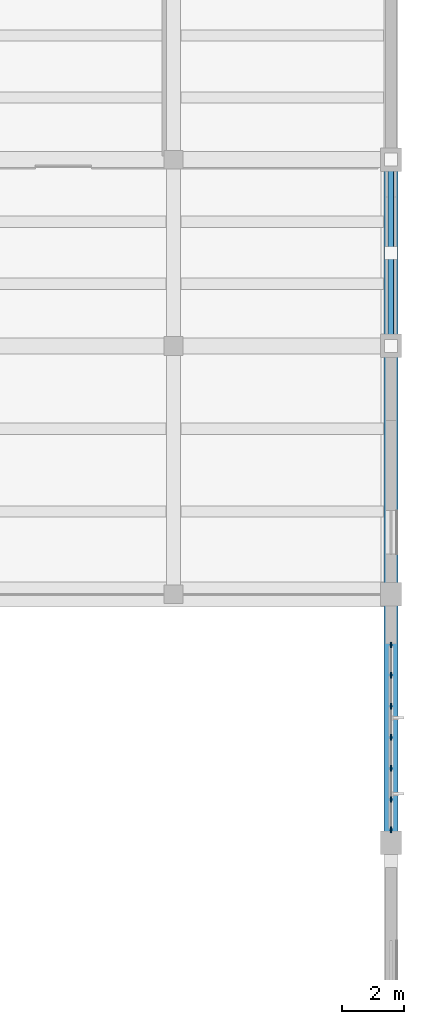
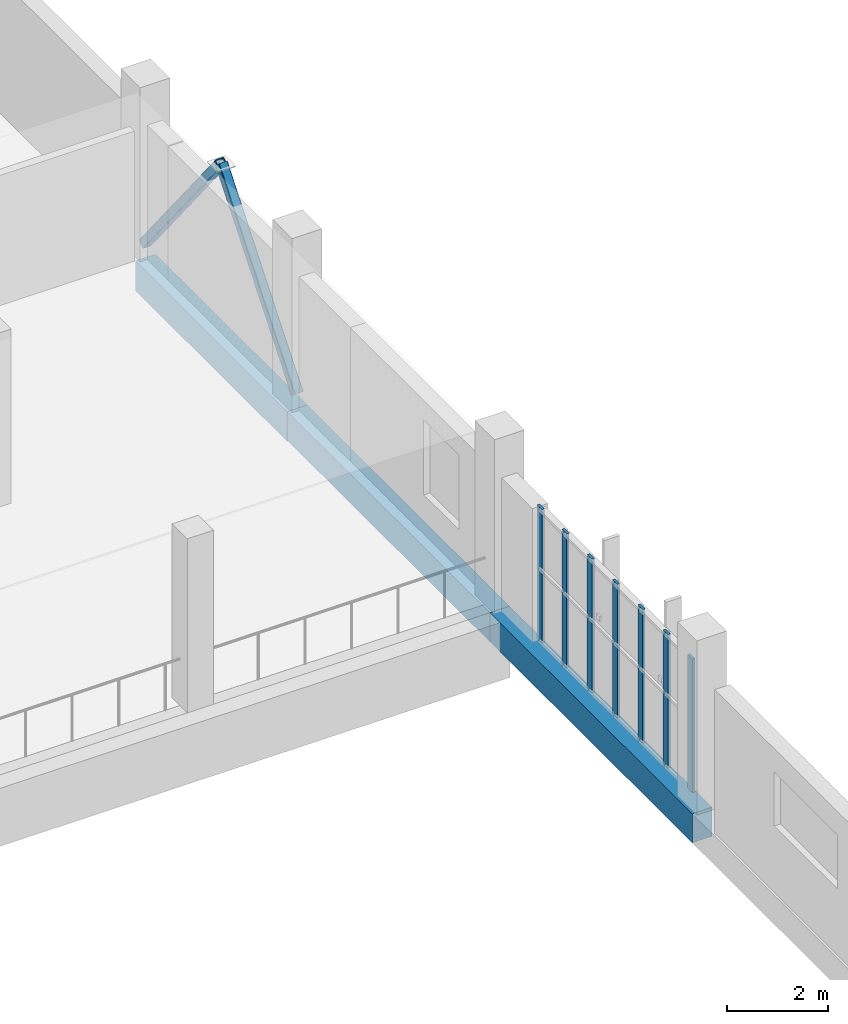
# One storey, part 29 of 85: 9 members, 3 beams, 1 element without a shape of its own.
"""IFC4 building model written with IfcOpenShell, lengths in metres."""

from ifc_helpers import new_model, si_unit, direction, frame, origin, origin_2d, place, context, subcontext, project, spatial, rectangle, hollow_rectangle, extrude, material, layer, layer_set, material_profile, profile_set, type_object, element, aggregate, save


model = new_model("IFC4")

# Units and contexts
model_context = context("Model", 3, precision=1e-05, world=origin(), true_north=direction((0.0, 1.0)))
body_context = subcontext(model_context, "Body", "Model", "MODEL_VIEW")
ifc_project = project(units=[si_unit("LENGTHUNIT", "METRE"), si_unit("AREAUNIT", "SQUARE_METRE"), si_unit("VOLUMEUNIT", "CUBIC_METRE"), si_unit("PLANEANGLEUNIT", "RADIAN"), si_unit("MASSUNIT", "GRAM", prefix="KILO")], contexts=[model_context])

# Site, building, storey
site_placement = place(None, origin())
site = spatial("IfcSite", under=ifc_project, at=site_placement, CompositionType="ELEMENT")
building_placement = place(site_placement, origin())
building = spatial("IfcBuilding", under=site, at=building_placement, Name="Solvane Community Centre", CompositionType="ELEMENT")
storey_placement = place(building_placement, frame((0.0, 0.0, 5.39990234375)))
storey = spatial("IfcBuildingStorey", under=building, at=storey_placement, Name="L01", CompositionType="ELEMENT", Elevation=5.39990234375)

# Curtain wall, members
ifc_material_1 = material(Name="Anodised bronze aluminium AW-6063 T6", Category="aluminium")
ifc_layer = layer(ifc_material_1, 0.18994140625)
ifc_layer_set = layer_set([ifc_layer], Name="Anodised bronze aluminium AW-6063 T6")
curtain_wall_type = type_object("IfcCurtainWallType", Name="Boulevard Bronze Vision Curtain Wall [60x32dm]", PredefinedType="NOTDEFINED", material=ifc_layer_set)
curtain_wall_placement = place(storey_placement, origin())
curtain_wall = element("IfcCurtainWall", 1, at=curtain_wall_placement, inside=storey, type_object=curtain_wall_type, Name="Curtain Wall CW-L01-1680_204-121", PredefinedType="NOTDEFINED")
ifc_material_profile_1 = material_profile(ifc_material_1, rectangle(XDim=0.06005859375, YDim=0.18994140625, at=origin_2d()), Name="CW-M 60x190")
ifc_profile_set_1 = profile_set([ifc_material_profile_1], Name="Anodised bronze aluminium AW-6063 T6")
member_type_1 = type_object("IfcMemberType", Name="Boulevard Mullion 60x190", PredefinedType="MULLION", material=ifc_profile_set_1)
member_1_placement = place(storey_placement, frame((168.0, 20.3701171875, 0.0), z_axis=(0.0, 0.0, 1.0), x_axis=(1.0, 0.0, 0.0)))
member_1 = element("IfcMember", 2, at=member_1_placement, type_object=member_type_1, Name="CW02-60x32 mullion 1", PredefinedType="MULLION", context=body_context, shape_type="SweptSolid", body=[
    extrude(rectangle(XDim=0.06005859375, YDim=0.18994140625, at=origin_2d()), origin(), (0.0, 0.0, 1.0), 3.22509765625),
])
member_2_placement = place(storey_placement, frame((168.0, 19.399169921875, 0.0), z_axis=(0.0, 0.0, 1.0), x_axis=(1.0, 0.0, 0.0)))
member_2 = element("IfcMember", 3, at=member_2_placement, type_object=member_type_1, Name="CW02-60x32 mullion 2", PredefinedType="MULLION", context=body_context, shape_type="SweptSolid", body=[
    extrude(rectangle(XDim=0.06005859375, YDim=0.18994140625, at=origin_2d()), origin(), (0.0, 0.0, 1.0), 3.22509765625),
])
member_3_placement = place(storey_placement, frame((168.0, 18.3984375, 0.0), z_axis=(0.0, 0.0, 1.0), x_axis=(1.0, 0.0, 0.0)))
member_3 = element("IfcMember", 4, at=member_3_placement, type_object=member_type_1, Name="CW02-60x32 mullion 3", PredefinedType="MULLION", context=body_context, shape_type="SweptSolid", body=[
    extrude(rectangle(XDim=0.06005859375, YDim=0.18994140625, at=origin_2d()), origin(), (0.0, 0.0, 1.0), 3.22509765625),
])
member_4_placement = place(storey_placement, frame((168.0, 17.3974609375, 0.0), z_axis=(0.0, 0.0, 1.0), x_axis=(1.0, 0.0, 0.0)))
member_4 = element("IfcMember", 5, at=member_4_placement, type_object=member_type_1, Name="CW02-60x32 mullion 4", PredefinedType="MULLION", context=body_context, shape_type="SweptSolid", body=[
    extrude(rectangle(XDim=0.06005859375, YDim=0.18994140625, at=origin_2d()), origin(), (0.0, 0.0, 1.0), 3.22509765625),
])
member_5_placement = place(storey_placement, frame((168.0, 16.396728515625, 0.0), z_axis=(0.0, 0.0, 1.0), x_axis=(1.0, 0.0, 0.0)))
member_5 = element("IfcMember", 6, at=member_5_placement, type_object=member_type_1, Name="CW02-60x32 mullion 5", PredefinedType="MULLION", context=body_context, shape_type="SweptSolid", body=[
    extrude(rectangle(XDim=0.06005859375, YDim=0.18994140625, at=origin_2d()), origin(), (0.0, 0.0, 1.0), 3.22509765625),
])
member_6_placement = place(storey_placement, frame((168.0, 15.395751953125, 0.0), z_axis=(0.0, 0.0, 1.0), x_axis=(1.0, 0.0, 0.0)))
member_6 = element("IfcMember", 7, at=member_6_placement, type_object=member_type_1, Name="CW02-60x32 mullion 6", PredefinedType="MULLION", context=body_context, shape_type="SweptSolid", body=[
    extrude(rectangle(XDim=0.06005859375, YDim=0.18994140625, at=origin_2d()), origin(), (0.0, 0.0, 1.0), 3.22509765625),
])
member_7_placement = place(storey_placement, frame((168.0, 14.425048828125, 0.0), z_axis=(0.0, 0.0, 1.0), x_axis=(1.0, 0.0, 0.0)))
member_7 = element("IfcMember", 8, at=member_7_placement, type_object=member_type_1, Name="CW02-60x32 mullion 7", PredefinedType="MULLION", context=body_context, shape_type="SweptSolid", body=[
    extrude(rectangle(XDim=0.06005859375, YDim=0.18994140625, at=origin_2d()), origin(), (0.0, 0.0, 1.0), 3.22509765625),
])
aggregate(curtain_wall, [member_1, member_2, member_3, member_4, member_5, member_6, member_7])

# Members
ifc_material_2 = material(Name="Steel ASTM A572 Grade 50", Category="steel")
ifc_material_profile_2 = material_profile(ifc_material_2, hollow_rectangle(XDim=0.203125, YDim=0.203125, WallThickness=0.0126953125, InnerFilletRadius=0.0126953125, OuterFilletRadius=0.025390625, at=origin_2d()), Name="HSS 203x203x12.7")
ifc_profile_set_2 = profile_set([ifc_material_profile_2], Name="Steel ASTM A572 Grade 50")
member_type_2 = type_object("IfcMemberType", Name="Heavy Frame Seismic Brace HSS203", PredefinedType="BRACE", material=ifc_profile_set_2)
for number, where, z_axis, x_axis, name in (
    (9, (168.0, 30.0, 0.1201171875), (0.0, 0.625712929237, 0.780053414957), (-1.0, 0.0, 0.0), "Member MEM-L01-0382"),
    (10, (168.0, 36.0, 0.1201171875), (0.0, -0.625712929237, 0.780053414957), (1.0, 0.0, 0.0), "Member MEM-L01-0383"),
):
    element("IfcMember", number, at=place(storey_placement, frame(where, z_axis=z_axis, x_axis=x_axis)), inside=storey, type_object=member_type_2, Name=name, PredefinedType="BRACE", context=body_context, shape_type="SweptSolid", body=[
        extrude(hollow_rectangle(XDim=0.203125, YDim=0.203125, WallThickness=0.0126953125, InnerFilletRadius=0.0126953125, OuterFilletRadius=0.025390625, at=origin_2d()), origin(), (0.0, 0.0, 1.0), 4.79443359375),
    ])

# Beams
ifc_material_3 = material(Name="Concrete C35/45", Category="concrete")
ifc_material_profile_3 = material_profile(ifc_material_3, rectangle(XDim=0.4599609375, YDim=0.719970703125, at=origin_2d()), Name="RC 460x720")
ifc_profile_set_3 = profile_set([ifc_material_profile_3], Name="Concrete C35/45")
beam_type_1 = type_object("IfcBeamType", Name="RC Cloister Beam 460x720", PredefinedType="BEAM", material=ifc_profile_set_3)
beam_placement = place(storey_placement, frame((168.0, 30.0, -0.599853515625), z_axis=(0.0, 1.0, 0.0), x_axis=(-1.0, 0.0, 0.0)))
element("IfcBeam", 11, at=beam_placement, inside=storey, type_object=beam_type_1, Name="Beam BM-L01-1680_300-1680_360", PredefinedType="BEAM", context=body_context, shape_type="SweptSolid", body=[
    extrude(rectangle(XDim=0.4599609375, YDim=0.719970703125, at=origin_2d()), origin(), (0.0, 0.0, 1.0), 6.0),
])
ifc_material_profile_4 = material_profile(ifc_material_3, rectangle(XDim=0.449951171875, YDim=0.699951171875, at=origin_2d()), Name="RC 450x700")
ifc_profile_set_4 = profile_set([ifc_material_profile_4], Name="Concrete C35/45")
beam_type_2 = type_object("IfcBeamType", Name="RC Floor Beam 450x700", PredefinedType="BEAM", material=ifc_profile_set_4)
for number, where, z_axis, x_axis, name in (
    (12, (168.0, 14.0, -0.58984375), (0.0, 1.0, 0.0), (-1.0, 0.0, 0.0), "Beam BM-L01-1680_140-1680_220"),
    (13, (168.0, 22.0, -0.58984375), (0.0, 1.0, 0.0), (-1.0, 0.0, 0.0), "Beam BM-L01-1680_220-1680_300"),
):
    element("IfcBeam", number, at=place(storey_placement, frame(where, z_axis=z_axis, x_axis=x_axis)), inside=storey, type_object=beam_type_2, Name=name, PredefinedType="BEAM", context=body_context, shape_type="SweptSolid", body=[
        extrude(rectangle(XDim=0.449951171875, YDim=0.699951171875, at=origin_2d()), origin(), (0.0, 0.0, 1.0), 8.0),
    ])

save(model, "model.ifc")
